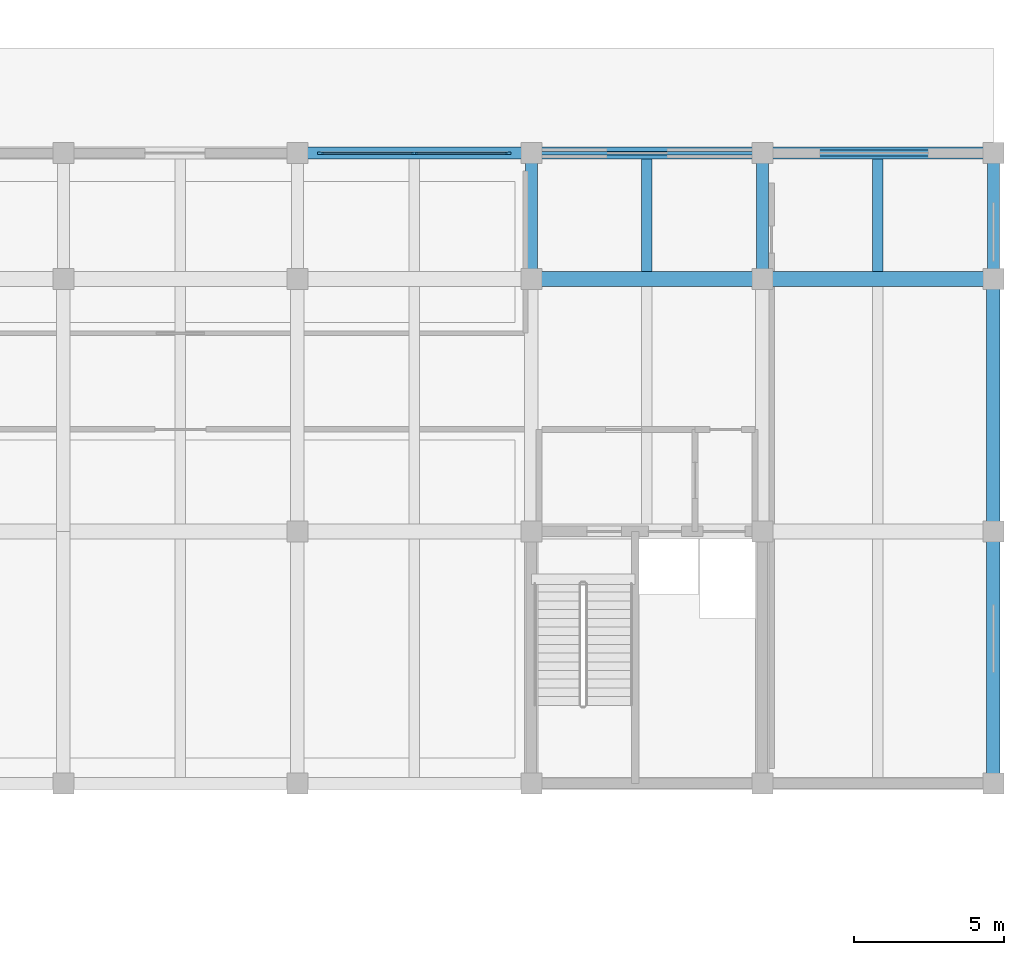
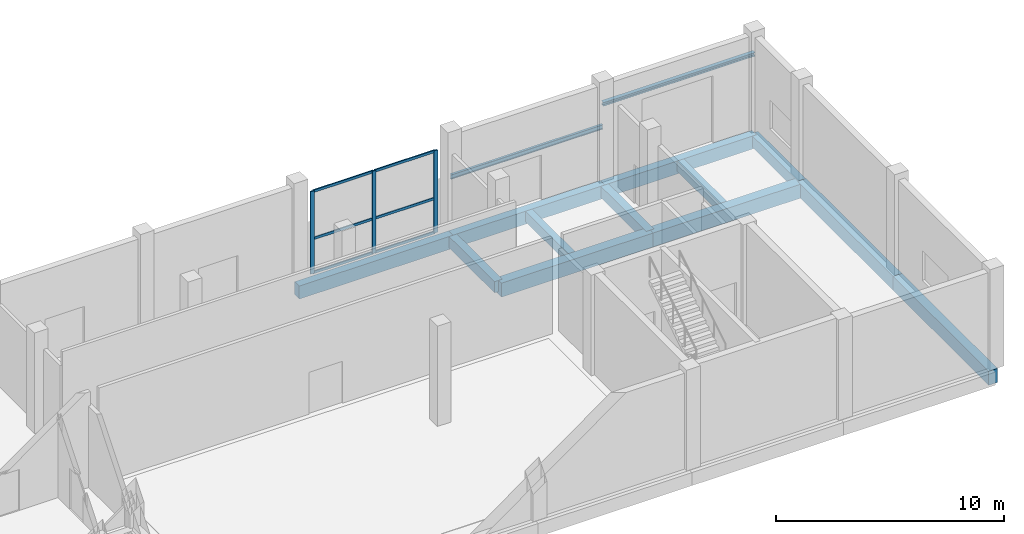
# One storey, part 19 of 41: 14 beams, 9 members, 1 element without a shape of its own.
"""IFC4 building model written with IfcOpenShell, lengths in metres."""

from ifc_helpers import new_model, si_unit, direction, frame, origin, origin_2d, place, context, subcontext, project, spatial, rectangle, i_section, extrude, material, material_profile, profile_set, type_object, element, aggregate, save


model = new_model("IFC4")

# Units and contexts
model_context = context("Model", 3, precision=1e-05, world=origin(), true_north=direction((0.0, 1.0)))
body_context = subcontext(model_context, "Body", "Model", "MODEL_VIEW")
ifc_project = project(units=[si_unit("LENGTHUNIT", "METRE"), si_unit("AREAUNIT", "SQUARE_METRE"), si_unit("VOLUMEUNIT", "CUBIC_METRE"), si_unit("PLANEANGLEUNIT", "RADIAN"), si_unit("MASSUNIT", "GRAM", prefix="KILO")], contexts=[model_context])

# Site, building, storey
site_placement = place(None, origin())
site = spatial("IfcSite", under=ifc_project, at=site_placement, CompositionType="ELEMENT")
building_placement = place(site_placement, origin())
building = spatial("IfcBuilding", under=site, at=building_placement, Name="Vharandega Faculty of Natural Sciences", CompositionType="ELEMENT")
storey_placement = place(building_placement, origin())
storey = spatial("IfcBuildingStorey", under=building, at=storey_placement, Name="L00", CompositionType="ELEMENT", Elevation=0.0)

# Curtain wall, members
ifc_material_1 = material(Name="Aluminium and solar-control glass curtain wall", Category="aluminium")
curtain_wall_type = type_object("IfcCurtainWallType", Name="Unitised Curtain Wall System CW-02", PredefinedType="NOTDEFINED", material=ifc_material_1)
curtain_wall_placement = place(storey_placement, origin())
curtain_wall = element("IfcCurtainWall", 1, at=curtain_wall_placement, inside=storey, type_object=curtain_wall_type, Name="Curtain Wall CW-L00-001", PredefinedType="NOTDEFINED")
ifc_material_2 = material(Name="Thermally broken aluminium 6063-T6", Category="aluminium")
ifc_material_profile_1 = material_profile(ifc_material_2, rectangle(XDim=0.070068359375, YDim=0.199951171875, at=origin_2d()), Name="ALU 70x200")
ifc_profile_set_1 = profile_set([ifc_material_profile_1], Name="Thermally broken aluminium 6063-T6")
member_type_1 = type_object("IfcMemberType", Name="CW Mullion 70x200", PredefinedType="MULLION", material=ifc_profile_set_1)
member_1_placement = place(storey_placement, frame((138.97509765625, 85.0, 0.0), z_axis=(0.0, 0.0, 1.0), x_axis=(0.0, 1.0, 0.0)))
member_1 = element("IfcMember", 2, at=member_1_placement, type_object=member_type_1, Name="CW-02 mullion 1", PredefinedType="MULLION", context=body_context, shape_type="SweptSolid", body=[
    extrude(rectangle(XDim=0.070068359375, YDim=0.199951171875, at=origin_2d()), origin(), (0.0, 0.0, 1.0), 4.419921875),
])
member_2_placement = place(storey_placement, frame((142.10009765625, 85.0, 0.0), z_axis=(0.0, 0.0, 1.0), x_axis=(0.0, 1.0, 0.0)))
member_2 = element("IfcMember", 3, at=member_2_placement, type_object=member_type_1, Name="CW-02 mullion 2", PredefinedType="MULLION", context=body_context, shape_type="SweptSolid", body=[
    extrude(rectangle(XDim=0.070068359375, YDim=0.199951171875, at=origin_2d()), origin(), (0.0, 0.0, 1.0), 4.419921875),
])
member_3_placement = place(storey_placement, frame((145.22509765625, 85.0, 0.0), z_axis=(0.0, 0.0, 1.0), x_axis=(0.0, 1.0, 0.0)))
member_3 = element("IfcMember", 4, at=member_3_placement, type_object=member_type_1, Name="CW-02 mullion 3", PredefinedType="MULLION", context=body_context, shape_type="SweptSolid", body=[
    extrude(rectangle(XDim=0.070068359375, YDim=0.199951171875, at=origin_2d()), origin(), (0.0, 0.0, 1.0), 4.419921875),
])
ifc_material_3 = material(Name="Thermally broken aluminium 6063-T6", Category="aluminium")
ifc_material_profile_2 = material_profile(ifc_material_3, rectangle(XDim=0.06494140625, YDim=0.135009765625, at=origin_2d()), Name="ALU 65x135")
ifc_profile_set_2 = profile_set([ifc_material_profile_2], Name="Thermally broken aluminium 6063-T6")
member_type_2 = type_object("IfcMemberType", Name="CW Transom 65x135", PredefinedType="USERDEFINED", material=ifc_profile_set_2)
member_4_placement = place(storey_placement, frame((139.010009765625, 85.0, 0.032470703125), z_axis=(1.0, 0.0, 0.0), x_axis=(0.0, 1.0, 0.0)))
member_4 = element("IfcMember", 5, at=member_4_placement, type_object=member_type_2, Name="CW-02 transom 1.1", ObjectType="TRANSOM", PredefinedType="USERDEFINED", context=body_context, shape_type="SweptSolid", body=[
    extrude(rectangle(XDim=0.06494140625, YDim=0.135009765625, at=origin_2d()), origin(), (0.0, 0.0, 1.0), 3.054931640625),
])
member_5_placement = place(storey_placement, frame((139.010009765625, 85.0, 1.8564453125), z_axis=(1.0, 0.0, 0.0), x_axis=(0.0, 1.0, 0.0)))
member_5 = element("IfcMember", 6, at=member_5_placement, type_object=member_type_2, Name="CW-02 transom 1.2", ObjectType="TRANSOM", PredefinedType="USERDEFINED", context=body_context, shape_type="SweptSolid", body=[
    extrude(rectangle(XDim=0.06494140625, YDim=0.135009765625, at=origin_2d()), origin(), (0.0, 0.0, 1.0), 3.054931640625),
])
member_6_placement = place(storey_placement, frame((139.010009765625, 85.0, 4.387451171875), z_axis=(1.0, 0.0, 0.0), x_axis=(0.0, 1.0, 0.0)))
member_6 = element("IfcMember", 7, at=member_6_placement, type_object=member_type_2, Name="CW-02 transom 1.3", ObjectType="TRANSOM", PredefinedType="USERDEFINED", context=body_context, shape_type="SweptSolid", body=[
    extrude(rectangle(XDim=0.06494140625, YDim=0.135009765625, at=origin_2d()), origin(), (0.0, 0.0, 1.0), 3.054931640625),
])
member_7_placement = place(storey_placement, frame((142.135009765625, 85.0, 0.032470703125), z_axis=(1.0, 0.0, 0.0), x_axis=(0.0, 1.0, 0.0)))
member_7 = element("IfcMember", 8, at=member_7_placement, type_object=member_type_2, Name="CW-02 transom 2.1", ObjectType="TRANSOM", PredefinedType="USERDEFINED", context=body_context, shape_type="SweptSolid", body=[
    extrude(rectangle(XDim=0.06494140625, YDim=0.135009765625, at=origin_2d()), origin(), (0.0, 0.0, 1.0), 3.054931640625),
])
member_8_placement = place(storey_placement, frame((142.135009765625, 85.0, 1.8564453125), z_axis=(1.0, 0.0, 0.0), x_axis=(0.0, 1.0, 0.0)))
member_8 = element("IfcMember", 9, at=member_8_placement, type_object=member_type_2, Name="CW-02 transom 2.2", ObjectType="TRANSOM", PredefinedType="USERDEFINED", context=body_context, shape_type="SweptSolid", body=[
    extrude(rectangle(XDim=0.06494140625, YDim=0.135009765625, at=origin_2d()), origin(), (0.0, 0.0, 1.0), 3.054931640625),
])
member_9_placement = place(storey_placement, frame((142.135009765625, 85.0, 4.387451171875), z_axis=(1.0, 0.0, 0.0), x_axis=(0.0, 1.0, 0.0)))
member_9 = element("IfcMember", 10, at=member_9_placement, type_object=member_type_2, Name="CW-02 transom 2.3", ObjectType="TRANSOM", PredefinedType="USERDEFINED", context=body_context, shape_type="SweptSolid", body=[
    extrude(rectangle(XDim=0.06494140625, YDim=0.135009765625, at=origin_2d()), origin(), (0.0, 0.0, 1.0), 3.054931640625),
])
aggregate(curtain_wall, [member_1, member_2, member_3, member_4, member_5, member_6, member_7, member_8, member_9])

# Beams
ifc_material_4 = material(Name="Concrete C40/50", Category="concrete")
ifc_material_profile_3 = material_profile(ifc_material_4, rectangle(XDim=0.5, YDim=0.75, at=origin_2d()), Name="RC 500x750")
ifc_profile_set_3 = profile_set([ifc_material_profile_3], Name="Concrete C40/50")
beam_type_1 = type_object("IfcBeamType", Name="Podium Primary Beam 500x750", PredefinedType="BEAM", material=ifc_profile_set_3)
for number, where, z_axis, x_axis, name in (
    (11, (146.0, 80.800048828125, -0.675048828125), (1.0, 0.0, 0.0), (0.0, 1.0, 0.0), "Beam L00 L/19-20"),
    (12, (153.699951171875, 80.800048828125, -0.675048828125), (1.0, 0.0, 0.0), (0.0, 1.0, 0.0), "Beam L00 L/20-21"),
):
    element("IfcBeam", number, at=place(storey_placement, frame(where, z_axis=z_axis, x_axis=x_axis)), inside=storey, type_object=beam_type_1, Name=name, PredefinedType="BEAM", context=body_context, shape_type="SweptSolid", body=[
        extrude(rectangle(XDim=0.5, YDim=0.75, at=origin_2d()), origin(), (0.0, 0.0, 1.0), 7.699951171875),
    ])
ifc_material_5 = material(Name="Concrete C40/50", Category="concrete")
ifc_material_profile_4 = material_profile(ifc_material_5, rectangle(XDim=0.39990234375, YDim=0.60009765625, at=origin_2d()), Name="RC 400x600")
ifc_profile_set_4 = profile_set([ifc_material_profile_4], Name="Concrete C40/50")
beam_type_2 = type_object("IfcBeamType", Name="Podium Rib Beam 400x600", PredefinedType="BEAM", material=ifc_profile_set_4)
for number, where, z_axis, x_axis, name in (
    (13, (146.0, 80.800048828125, -0.60009765625), (0.0, 1.0, 0.0), (-1.0, 0.0, 0.0), "Beam L00 19/L-M"),
    (14, (153.699951171875, 80.800048828125, -0.60009765625), (0.0, 1.0, 0.0), (-1.0, 0.0, 0.0), "Beam L00 20/L-M"),
    (15, (161.39990234375, 80.800048828125, -0.60009765625), (0.0, 1.0, 0.0), (-1.0, 0.0, 0.0), "Beam L00 21/L-M"),
):
    element("IfcBeam", number, at=place(storey_placement, frame(where, z_axis=z_axis, x_axis=x_axis)), inside=storey, type_object=beam_type_2, Name=name, PredefinedType="BEAM", context=body_context, shape_type="SweptSolid", body=[
        extrude(rectangle(XDim=0.39990234375, YDim=0.60009765625, at=origin_2d()), origin(), (0.0, 0.0, 1.0), 4.199951171875),
    ])
ifc_material_6 = material(Name="Concrete C40/50", Category="concrete")
ifc_material_profile_5 = material_profile(ifc_material_6, rectangle(XDim=0.35009765625, YDim=0.550048828125, at=origin_2d()), Name="RC 350x550")
ifc_profile_set_5 = profile_set([ifc_material_profile_5], Name="Concrete C40/50")
beam_type_3 = type_object("IfcBeamType", Name="Podium Secondary Beam 350x550", PredefinedType="JOIST", material=ifc_profile_set_5)
for number, where, z_axis, x_axis, name in (
    (16, (149.85009765625, 81.050048828125, -0.574951171875), (0.0, 1.0, 0.0), (-1.0, 0.0, 0.0), "Secondary Joist L00 19-20/L-M"),
    (17, (157.550048828125, 81.050048828125, -0.574951171875), (0.0, 1.0, 0.0), (-1.0, 0.0, 0.0), "Secondary Joist L00 20-21/L-M"),
):
    element("IfcBeam", number, at=place(storey_placement, frame(where, z_axis=z_axis, x_axis=x_axis)), inside=storey, type_object=beam_type_3, Name=name, PredefinedType="JOIST", context=body_context, shape_type="SweptSolid", body=[
        extrude(rectangle(XDim=0.35009765625, YDim=0.550048828125, at=origin_2d()), origin(), (0.0, 0.0, 1.0), 3.75),
    ])
ifc_material_7 = material(Name="Concrete C40/50", Category="concrete")
ifc_material_profile_6 = material_profile(ifc_material_7, rectangle(XDim=0.39990234375, YDim=0.699951171875, at=origin_2d()), Name="RC 400x700")
ifc_profile_set_6 = profile_set([ifc_material_profile_6], Name="Concrete C40/50")
beam_type_4 = type_object("IfcBeamType", Name="Podium Spandrel Beam 400x700", PredefinedType="SPANDREL", material=ifc_profile_set_6)
beam_1_placement = place(storey_placement, frame((138.199951171875, 85.0, -0.64990234375), z_axis=(1.0, 0.0, 0.0), x_axis=(0.0, 1.0, 0.0)))
element("IfcBeam", 18, at=beam_1_placement, inside=storey, type_object=beam_type_4, Name="Beam L00 M/18-19", PredefinedType="SPANDREL", context=body_context, shape_type="SweptSolid", body=[
    extrude(rectangle(XDim=0.39990234375, YDim=0.699951171875, at=origin_2d()), origin(), (0.0, 0.0, 1.0), 7.800048828125),
])
for number, where, z_axis, x_axis, name in (
    (19, (146.0, 85.0, -0.64990234375), (1.0, 0.0, 0.0), (0.0, 1.0, 0.0), "Beam L00 M/19-20"),
    (20, (153.699951171875, 85.0, -0.64990234375), (1.0, 0.0, 0.0), (0.0, 1.0, 0.0), "Beam L00 M/20-21"),
):
    element("IfcBeam", number, at=place(storey_placement, frame(where, z_axis=z_axis, x_axis=x_axis)), inside=storey, type_object=beam_type_4, Name=name, PredefinedType="SPANDREL", context=body_context, shape_type="SweptSolid", body=[
        extrude(rectangle(XDim=0.39990234375, YDim=0.699951171875, at=origin_2d()), origin(), (0.0, 0.0, 1.0), 7.699951171875),
    ])
ifc_material_8 = material(Name="Concrete C40/50", Category="concrete")
ifc_material_profile_7 = material_profile(ifc_material_8, rectangle(XDim=0.449951171875, YDim=0.75, at=origin_2d()), Name="RC 450x750")
ifc_profile_set_7 = profile_set([ifc_material_profile_7], Name="Concrete C40/50")
beam_type_5 = type_object("IfcBeamType", Name="Podium Spine Beam 450x750", PredefinedType="BEAM", material=ifc_profile_set_7)
beam_2_placement = place(storey_placement, frame((161.39990234375, 64.0, -0.675048828125), z_axis=(0.0, 1.0, 0.0), x_axis=(-1.0, 0.0, 0.0)))
element("IfcBeam", 21, at=beam_2_placement, inside=storey, type_object=beam_type_5, Name="Beam L00 21/J-K", PredefinedType="BEAM", context=body_context, shape_type="SweptSolid", body=[
    extrude(rectangle(XDim=0.449951171875, YDim=0.75, at=origin_2d()), origin(), (0.0, 0.0, 1.0), 8.39990234375),
])
beam_3_placement = place(storey_placement, frame((161.39990234375, 72.39990234375, -0.675048828125), z_axis=(0.0, 1.0, 0.0), x_axis=(-1.0, 0.0, 0.0)))
element("IfcBeam", 22, at=beam_3_placement, inside=storey, type_object=beam_type_5, Name="Beam L00 21/K-L", PredefinedType="BEAM", context=body_context, shape_type="SweptSolid", body=[
    extrude(rectangle(XDim=0.449951171875, YDim=0.75, at=origin_2d()), origin(), (0.0, 0.0, 1.0), 8.400146484375),
])
ifc_material_9 = material(Name="Steel S355", Category="steel")
ifc_material_profile_8 = material_profile(ifc_material_9, i_section(OverallWidth=0.199951171875, OverallDepth=0.18994140625, WebThickness=0.006591796875, FlangeThickness=0.010009765625, FilletRadius=0.01806640625, at=origin_2d()), Name="HEA 200")
ifc_profile_set_8 = profile_set([ifc_material_profile_8], Name="Steel S355")
beam_type_6 = type_object("IfcBeamType", Name="Steel Heavy Lintel HEA 200", PredefinedType="LINTEL", material=ifc_profile_set_8)
beam_4_placement = place(storey_placement, frame((153.699951171875, 85.0, 3.955078125), z_axis=(1.0, 0.0, 0.0), x_axis=(0.0, 1.0, 0.0)))
element("IfcBeam", 23, at=beam_4_placement, inside=storey, type_object=beam_type_6, Name="Opening Lintel L00-07", PredefinedType="LINTEL", context=body_context, shape_type="SweptSolid", body=[
    extrude(i_section(OverallWidth=0.199951171875, OverallDepth=0.18994140625, WebThickness=0.006591796875, FlangeThickness=0.010009765625, FilletRadius=0.01806640625, at=origin_2d()), origin(), (0.0, 0.0, 1.0), 7.699951171875),
])
ifc_material_10 = material(Name="Steel S355", Category="steel")
ifc_material_profile_9 = material_profile(ifc_material_10, i_section(OverallWidth=0.1201171875, OverallDepth=0.239990234375, WebThickness=0.006103515625, FlangeThickness=0.009765625, FilletRadius=0.014892578125, at=origin_2d()), Name="IPE 240")
ifc_profile_set_9 = profile_set([ifc_material_profile_9], Name="Steel S355")
beam_type_7 = type_object("IfcBeamType", Name="Steel Opening Lintel IPE 240", PredefinedType="LINTEL", material=ifc_profile_set_9)
beam_5_placement = place(storey_placement, frame((146.0, 85.0, 2.72998046875), z_axis=(1.0, 0.0, 0.0), x_axis=(0.0, 1.0, 0.0)))
element("IfcBeam", 24, at=beam_5_placement, inside=storey, type_object=beam_type_7, Name="Opening Lintel L00-06", PredefinedType="LINTEL", context=body_context, shape_type="SweptSolid", body=[
    extrude(i_section(OverallWidth=0.1201171875, OverallDepth=0.239990234375, WebThickness=0.006103515625, FlangeThickness=0.009765625, FilletRadius=0.014892578125, at=origin_2d()), origin(), (0.0, 0.0, 1.0), 7.699951171875),
])

save(model, "model.ifc")
